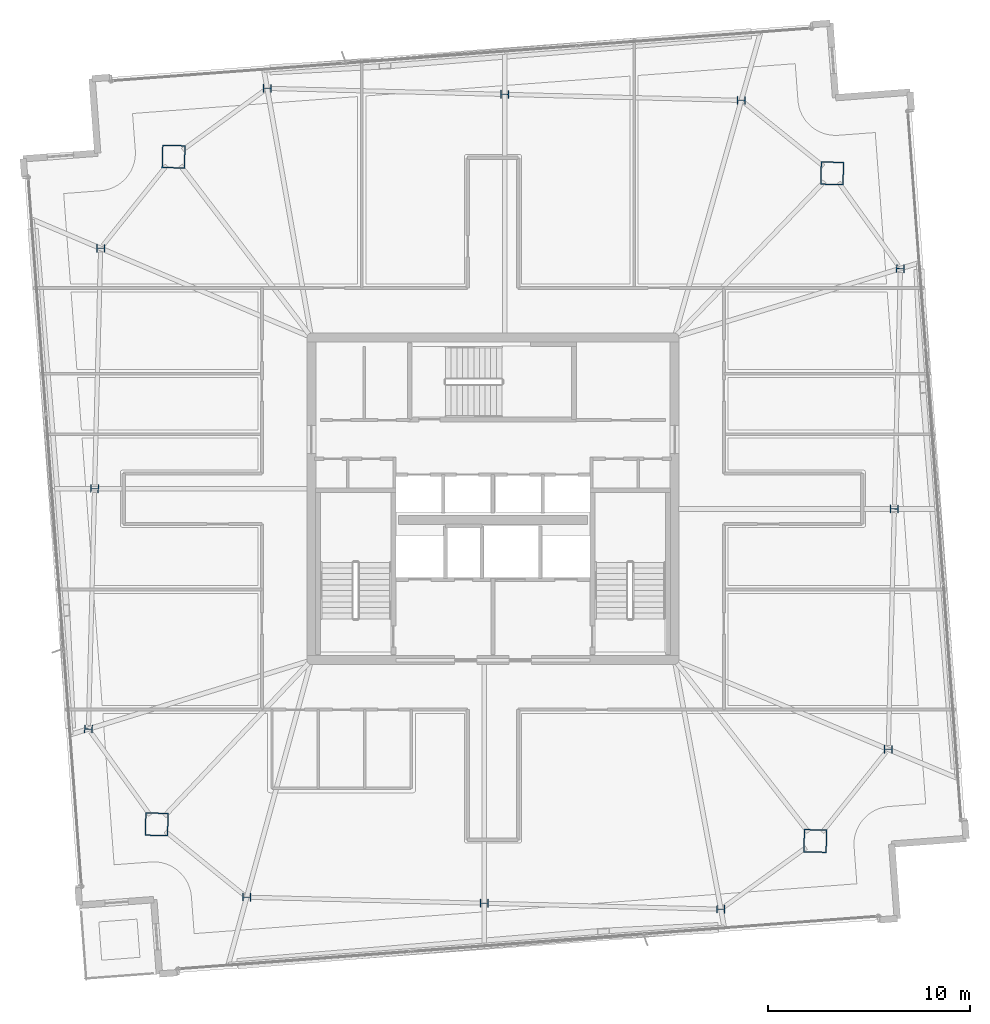
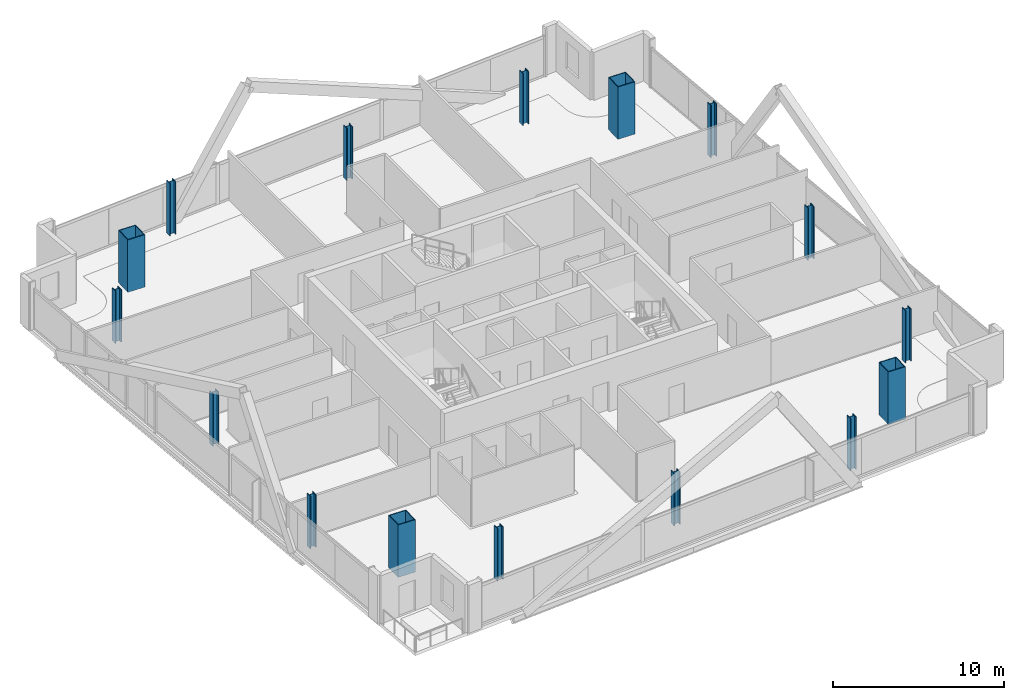
# One storey, part 1 of 23: 16 columns.
"""IFC4 building model written with IfcOpenShell, lengths in metres."""

from ifc_helpers import new_model, si_unit, direction, frame, origin, origin_2d, place, context, subcontext, project, spatial, hollow_rectangle, i_section, extrude, material, material_profile, profile_set, type_object, element, save


model = new_model("IFC4")

# Units and contexts
model_context = context("Model", 3, precision=1e-05, world=origin(), true_north=direction((0.0, 1.0)))
body_context = subcontext(model_context, "Body", "Model", "MODEL_VIEW")
ifc_project = project(units=[si_unit("LENGTHUNIT", "METRE"), si_unit("AREAUNIT", "SQUARE_METRE"), si_unit("VOLUMEUNIT", "CUBIC_METRE"), si_unit("PLANEANGLEUNIT", "RADIAN"), si_unit("MASSUNIT", "GRAM", prefix="KILO")], contexts=[model_context])

# Site, building, storey
site_placement = place(None, origin())
site = spatial("IfcSite", under=ifc_project, at=site_placement, CompositionType="ELEMENT")
building_placement = place(site_placement, origin())
building = spatial("IfcBuilding", under=site, at=building_placement, Name="Haldenkirk Collegiate Tower", CompositionType="ELEMENT")
storey_placement = place(building_placement, frame((0.0, 0.0, 343.949951171875)))
storey = spatial("IfcBuildingStorey", under=building, at=storey_placement, Name="L87", CompositionType="ELEMENT", Elevation=343.949951171875)

# Columns
ifc_material_1 = material(Name="Steel ASTM A913 Grade 65", Category="steel")
ifc_material_profile_1 = material_profile(ifc_material_1, i_section(OverallWidth=0.406005859375, OverallDepth=0.416015625, WebThickness=0.02978515625, FlangeThickness=0.048095703125, at=origin_2d()), Name="W14X257")
ifc_profile_set_1 = profile_set([ifc_material_profile_1], Name="Steel ASTM A913 Grade 65")
column_type_1 = type_object("IfcColumnType", Name="COL-INT-W14X257", PredefinedType="COLUMN", material=ifc_profile_set_1)
for number, where, z_axis, x_axis, name in (
    (1, (55.592041015625, 13.584228515625, 0.0), (0.0, 0.0, 1.0), (0.025304572866, 0.999679788028, 0.0), "L87 perimeter gravity column PC-S1"),
    (2, (55.8935546875, 25.496337890625, 0.0), (0.0, 0.0, 1.0), (0.025304572866, 0.999679788028, 0.0), "L87 perimeter gravity column PC-S2"),
    (3, (56.1953125, 37.40869140625, 0.0), (0.0, 0.0, 1.0), (0.025304572866, 0.999679788028, 0.0), "L87 perimeter gravity column PC-S3"),
    (4, (48.3115234375, 45.744873046875, 0.0), (0.0, 0.0, 1.0), (0.025304572866, 0.999679788028, 0.0), "L87 perimeter gravity column PC-E1"),
    (5, (36.582275390625, 46.041748046875, 0.0), (0.0, 0.0, 1.0), (0.025304572866, 0.999679788028, 0.0), "L87 perimeter gravity column PC-E2"),
    (6, (24.81103515625, 46.339599609375, 0.0), (0.0, 0.0, 1.0), (0.025304572866, 0.999679788028, 0.0), "L87 perimeter gravity column PC-E3"),
    (7, (16.557861328125, 38.411865234375, 0.0), (0.0, 0.0, 1.0), (0.025304572866, 0.999679788028, 0.0), "L87 perimeter gravity column PC-N1"),
    (8, (16.25634765625, 26.499755859375, 0.0), (0.0, 0.0, 1.0), (0.025304572866, 0.999679788028, 0.0), "L87 perimeter gravity column PC-N2"),
    (9, (15.954833984375, 14.587646484375, 0.0), (0.0, 0.0, 1.0), (0.025304572866, 0.999679788028, 0.0), "L87 perimeter gravity column PC-N3"),
    (10, (23.79638671875, 6.25244140625, 0.0), (0.0, 0.0, 1.0), (0.025304572866, 0.999679788028, 0.0), "L87 perimeter gravity column PC-W1"),
    (11, (35.567626953125, 5.95458984375, 0.0), (0.0, 0.0, 1.0), (0.025304572866, 0.999679788028, 0.0), "L87 perimeter gravity column PC-W2"),
    (12, (47.296875, 5.65771484375, 0.0), (0.0, 0.0, 1.0), (0.025304572866, 0.999679788028, 0.0), "L87 perimeter gravity column PC-W3"),
):
    element("IfcColumn", number, at=place(storey_placement, frame(where, z_axis=z_axis, x_axis=x_axis)), inside=storey, type_object=column_type_1, Name=name, PredefinedType="COLUMN", context=body_context, shape_type="SweptSolid", body=[
        extrude(i_section(OverallWidth=0.406005859375, OverallDepth=0.416015625, WebThickness=0.02978515625, FlangeThickness=0.048095703125, at=origin_2d()), origin(), (0.0, 0.0, 1.0), 3.75),
    ])
ifc_material_2 = material(Name="Steel ASTM A572 Grade 50", Category="steel")
ifc_material_profile_2 = material_profile(ifc_material_2, hollow_rectangle(XDim=1.14990234375, YDim=1.14990234375, WallThickness=0.050048828125, at=origin_2d()), Name="BOX1150X1150X50")
ifc_profile_set_2 = profile_set([ifc_material_profile_2], Name="Steel ASTM A572 Grade 50")
column_type_2 = type_object("IfcColumnType", Name="COL-MEGA-BOX1150X1150X50", PredefinedType="COLUMN", material=ifc_profile_set_2)
for number, where, z_axis, x_axis, name in (
    (13, (51.97607421875, 9.040283203125, 0.0), (0.0, 0.0, 1.0), (0.025304572866, 0.999679788028, 0.0), "L87 corner mega-column MC1"),
    (14, (52.8134765625, 42.129638671875, 0.0), (0.0, 0.0, 1.0), (0.025304572866, 0.999679788028, 0.0), "L87 corner mega-column MC2"),
    (15, (20.174072265625, 42.955810546875, 0.0), (0.0, 0.0, 1.0), (0.025304572866, 0.999679788028, 0.0), "L87 corner mega-column MC3"),
    (16, (19.33642578125, 9.866455078125, 0.0), (0.0, 0.0, 1.0), (0.025304572866, 0.999679788028, 0.0), "L87 corner mega-column MC4"),
):
    element("IfcColumn", number, at=place(storey_placement, frame(where, z_axis=z_axis, x_axis=x_axis)), inside=storey, type_object=column_type_2, Name=name, PredefinedType="COLUMN", context=body_context, shape_type="SweptSolid", body=[
        extrude(hollow_rectangle(XDim=1.14990234375, YDim=1.14990234375, WallThickness=0.050048828125, at=origin_2d()), origin(), (0.0, 0.0, 1.0), 3.75),
    ])

save(model, "model.ifc")
